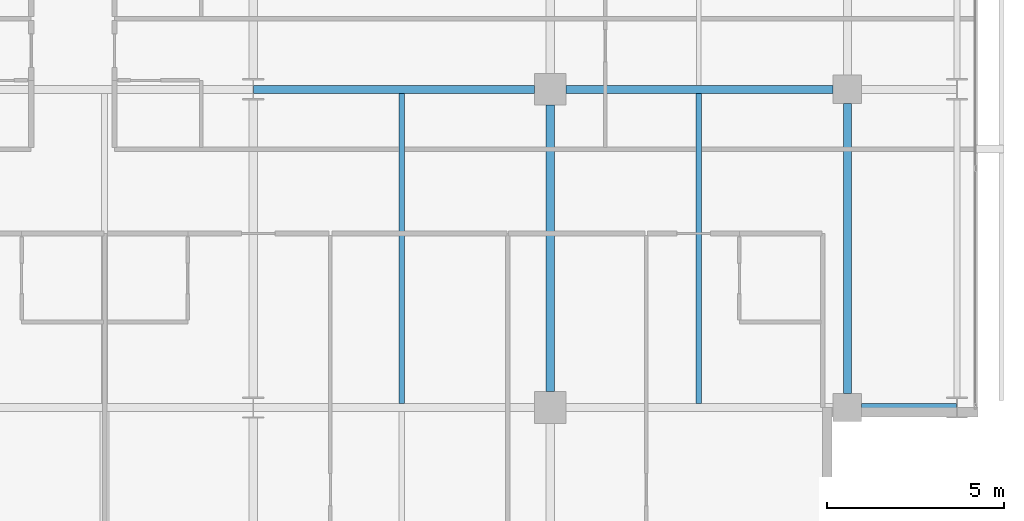
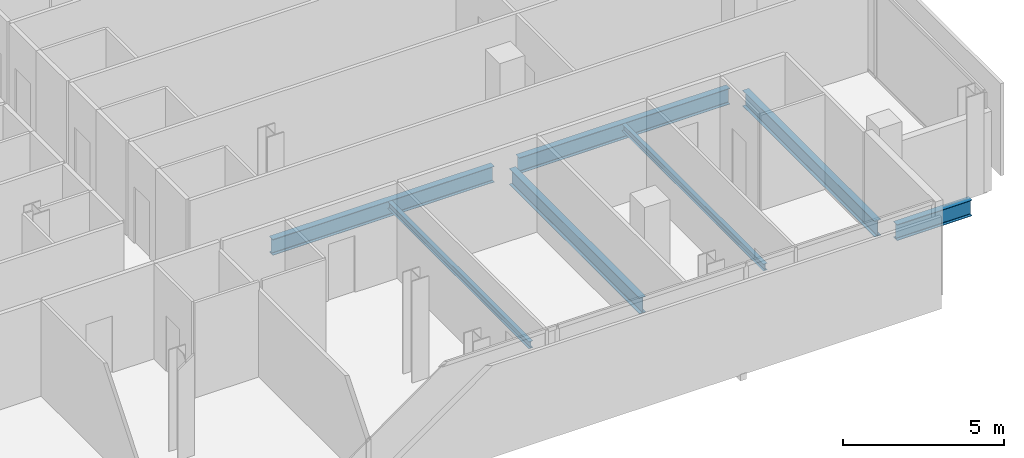
# One storey, part 14 of 34: 7 beams.
"""IFC4 building model written with IfcOpenShell, lengths in metres."""

from ifc_helpers import new_model, si_unit, direction, frame, origin, origin_2d, place, context, subcontext, project, spatial, i_section, extrude, material, material_profile, profile_set, type_object, element, save


model = new_model("IFC4")

# Units and contexts
model_context = context("Model", 3, precision=1e-05, world=origin(), true_north=direction((0.0, 1.0)))
body_context = subcontext(model_context, "Body", "Model", "MODEL_VIEW")
ifc_project = project(units=[si_unit("LENGTHUNIT", "METRE"), si_unit("AREAUNIT", "SQUARE_METRE"), si_unit("VOLUMEUNIT", "CUBIC_METRE"), si_unit("PLANEANGLEUNIT", "RADIAN"), si_unit("MASSUNIT", "GRAM", prefix="KILO")], contexts=[model_context])

# Site, building, storey
site_placement = place(None, origin())
site = spatial("IfcSite", under=ifc_project, at=site_placement, CompositionType="ELEMENT")
building_placement = place(site_placement, origin())
building = spatial("IfcBuilding", under=site, at=building_placement, Name="Maruvema Waterfront Hotel and Observation Tower", CompositionType="ELEMENT")
storey_placement = place(building_placement, frame((0.0, 0.0, 189.0)))
storey = spatial("IfcBuildingStorey", under=building, at=storey_placement, Name="L46", CompositionType="ELEMENT", Elevation=189.0)

# Beams
ifc_material_1 = material(Name="Steel ASTM A572 Grade 50", Category="steel")
ifc_material_profile_1 = material_profile(ifc_material_1, i_section(OverallWidth=0.22802734375, OverallDepth=0.60302734375, WebThickness=0.010498046875, FlangeThickness=0.014892578125, FilletRadius=0.01806640625, at=origin_2d()), Name="W610x101.0")
ifc_profile_set_1 = profile_set([ifc_material_profile_1], Name="Steel ASTM A572 Grade 50")
beam_type_1 = type_object("IfcBeamType", Name="Primary Floor Girder W610x101.0", PredefinedType="BEAM", material=ifc_profile_set_1)
beam_1_placement = place(storey_placement, frame((59.199951171875, 9.0, -0.54150390625), z_axis=(1.0, 0.0, 0.0), x_axis=(0.0, 1.0, 0.0)))
element("IfcBeam", 1, at=beam_1_placement, inside=storey, type_object=beam_type_1, Name="L46 Floor Girder EW-10", PredefinedType="BEAM", context=body_context, shape_type="SweptSolid", body=[
    extrude(i_section(OverallWidth=0.22802734375, OverallDepth=0.60302734375, WebThickness=0.010498046875, FlangeThickness=0.014892578125, FilletRadius=0.01806640625, at=origin_2d()), origin(), (0.0, 0.0, 1.0), 2.6875),
])
beam_2_placement = place(storey_placement, frame((42.012451171875, 18.0, -0.54150390625), z_axis=(1.0, 0.0, 0.0), x_axis=(0.0, 1.0, 0.0)))
element("IfcBeam", 2, at=beam_2_placement, inside=storey, type_object=beam_type_1, Name="L46 Floor Girder EW-15", PredefinedType="BEAM", context=body_context, shape_type="SweptSolid", body=[
    extrude(i_section(OverallWidth=0.22802734375, OverallDepth=0.60302734375, WebThickness=0.010498046875, FlangeThickness=0.014892578125, FilletRadius=0.01806640625, at=origin_2d()), origin(), (0.0, 0.0, 1.0), 7.9375),
])
beam_3_placement = place(storey_placement, frame((50.85009765625, 18.0, -0.54150390625), z_axis=(1.0, 0.0, 0.0), x_axis=(0.0, 1.0, 0.0)))
element("IfcBeam", 3, at=beam_3_placement, inside=storey, type_object=beam_type_1, Name="L46 Floor Girder EW-16", PredefinedType="BEAM", context=body_context, shape_type="SweptSolid", body=[
    extrude(i_section(OverallWidth=0.22802734375, OverallDepth=0.60302734375, WebThickness=0.010498046875, FlangeThickness=0.014892578125, FilletRadius=0.01806640625, at=origin_2d()), origin(), (0.0, 0.0, 1.0), 7.5498046875),
])
beam_4_placement = place(storey_placement, frame((50.39990234375, 9.449951171875, -0.54150390625), z_axis=(0.0, 1.0, 0.0), x_axis=(-1.0, 0.0, 0.0)))
element("IfcBeam", 4, at=beam_4_placement, inside=storey, type_object=beam_type_1, Name="L46 Floor Girder NS-21", PredefinedType="BEAM", context=body_context, shape_type="SweptSolid", body=[
    extrude(i_section(OverallWidth=0.22802734375, OverallDepth=0.60302734375, WebThickness=0.010498046875, FlangeThickness=0.014892578125, FilletRadius=0.01806640625, at=origin_2d()), origin(), (0.0, 0.0, 1.0), 8.10009765625),
])
beam_5_placement = place(storey_placement, frame((58.800048828125, 9.39990234375, -0.54150390625), z_axis=(0.0, 1.0, 0.0), x_axis=(-1.0, 0.0, 0.0)))
element("IfcBeam", 5, at=beam_5_placement, inside=storey, type_object=beam_type_1, Name="L46 Floor Girder NS-25", PredefinedType="BEAM", context=body_context, shape_type="SweptSolid", body=[
    extrude(i_section(OverallWidth=0.22802734375, OverallDepth=0.60302734375, WebThickness=0.010498046875, FlangeThickness=0.014892578125, FilletRadius=0.01806640625, at=origin_2d()), origin(), (0.0, 0.0, 1.0), 8.2001953125),
])
ifc_material_2 = material(Name="Steel ASTM A572 Grade 50", Category="steel")
ifc_material_profile_2 = material_profile(ifc_material_2, i_section(OverallWidth=0.14599609375, OverallDepth=0.258056640625, WebThickness=0.006103515625, FlangeThickness=0.009033203125, FilletRadius=0.012939453125, at=origin_2d()), Name="W250x32.7")
ifc_profile_set_2 = profile_set([ifc_material_profile_2], Name="Steel ASTM A572 Grade 50")
beam_type_2 = type_object("IfcBeamType", Name="Secondary Floor Joist W250x32.7", PredefinedType="JOIST", material=ifc_profile_set_2)
beam_6_placement = place(storey_placement, frame((54.60009765625, 9.114013671875, -0.368896484375), z_axis=(0.0, 1.0, 0.0), x_axis=(-1.0, 0.0, 0.0)))
element("IfcBeam", 6, at=beam_6_placement, inside=storey, type_object=beam_type_2, Name="L46 Secondary Floor Joist JS-11", PredefinedType="JOIST", context=body_context, shape_type="SweptSolid", body=[
    extrude(i_section(OverallWidth=0.14599609375, OverallDepth=0.258056640625, WebThickness=0.006103515625, FlangeThickness=0.009033203125, FilletRadius=0.012939453125, at=origin_2d()), origin(), (0.0, 0.0, 1.0), 8.77197265625),
])
ifc_material_3 = material(Name="Steel ASTM A572 Grade 50", Category="steel")
ifc_material_profile_3 = material_profile(ifc_material_3, i_section(OverallWidth=0.14794921875, OverallDepth=0.26611328125, WebThickness=0.007568359375, FlangeThickness=0.012939453125, FilletRadius=0.012939453125, at=origin_2d()), Name="W250x44.8")
ifc_profile_set_3 = profile_set([ifc_material_profile_3], Name="Steel ASTM A572 Grade 50")
beam_type_3 = type_object("IfcBeamType", Name="Secondary Floor Joist W250x44.8", PredefinedType="JOIST", material=ifc_profile_set_3)
beam_7_placement = place(storey_placement, frame((46.199951171875, 9.114013671875, -0.373046875), z_axis=(0.0, 1.0, 0.0), x_axis=(-1.0, 0.0, 0.0)))
element("IfcBeam", 7, at=beam_7_placement, inside=storey, type_object=beam_type_3, Name="L46 Secondary Floor Joist JS-10", PredefinedType="JOIST", context=body_context, shape_type="SweptSolid", body=[
    extrude(i_section(OverallWidth=0.14794921875, OverallDepth=0.26611328125, WebThickness=0.007568359375, FlangeThickness=0.012939453125, FilletRadius=0.012939453125, at=origin_2d()), origin(), (0.0, 0.0, 1.0), 8.77197265625),
])

save(model, "model.ifc")
